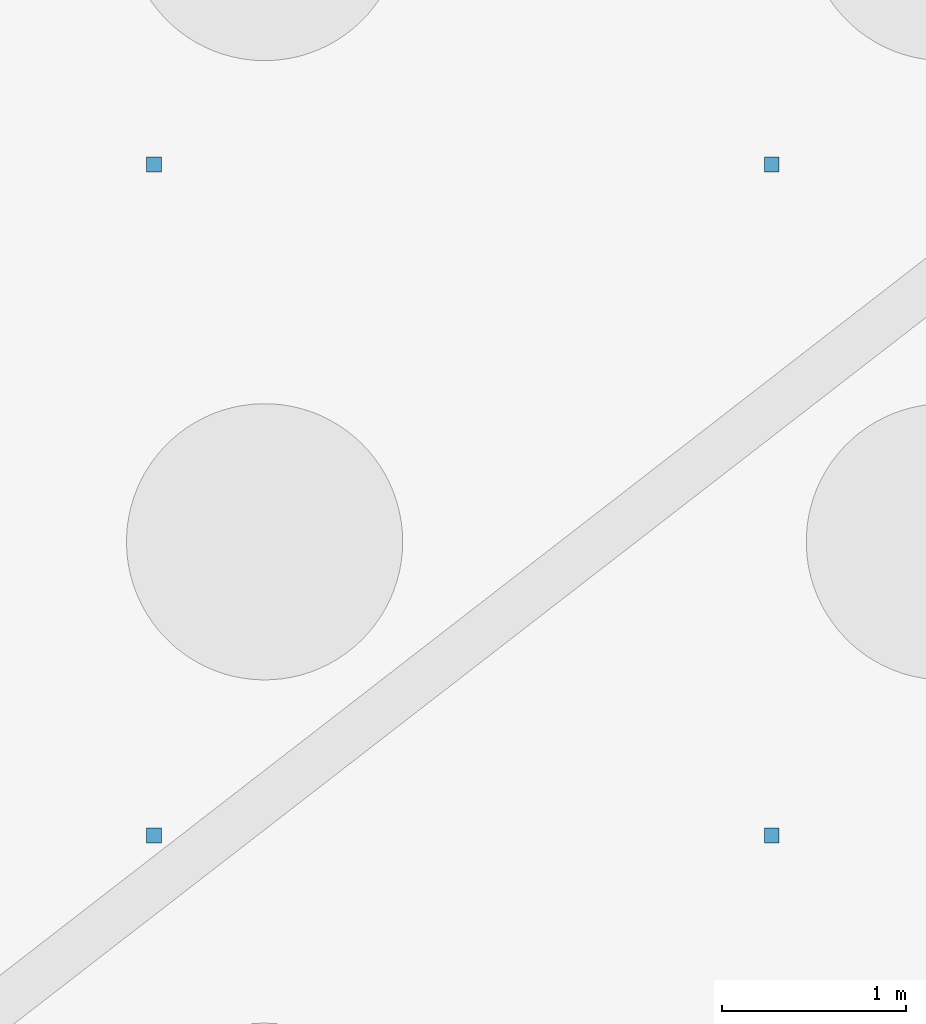
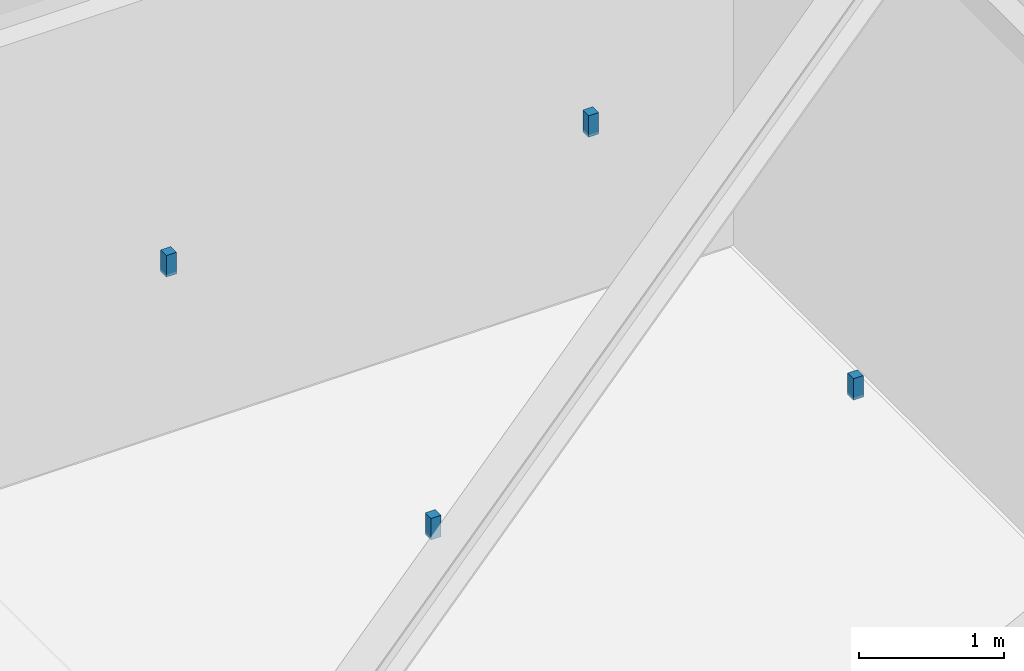
# One storey, part 14 of 19: 4 discrete accessories.
"""IFC4 building model written with IfcOpenShell, lengths in metres."""

from ifc_helpers import new_model, si_unit, direction, frame, origin, origin_2d, place, context, subcontext, project, spatial, rectangle, extrude, material, type_object, element, save


model = new_model("IFC4")

# Units and contexts
model_context = context("Model", 3, precision=1e-05, world=origin(), true_north=direction((0.0, 1.0)))
body_context = subcontext(model_context, "Body", "Model", "MODEL_VIEW")
ifc_project = project(units=[si_unit("LENGTHUNIT", "METRE"), si_unit("AREAUNIT", "SQUARE_METRE"), si_unit("VOLUMEUNIT", "CUBIC_METRE"), si_unit("PLANEANGLEUNIT", "RADIAN"), si_unit("MASSUNIT", "GRAM", prefix="KILO")], contexts=[model_context])

# Site, building, storey
site_placement = place(None, origin())
site = spatial("IfcSite", under=ifc_project, at=site_placement, CompositionType="ELEMENT")
building_placement = place(site_placement, origin())
building = spatial("IfcBuilding", under=site, at=building_placement, Name="Kolvaren Gate Tower and Convention Centre", CompositionType="ELEMENT")
storey_placement = place(building_placement, frame((0.0, 0.0, -13.5)))
storey = spatial("IfcBuildingStorey", under=building, at=storey_placement, Name="B3", CompositionType="ELEMENT", Elevation=-13.5)

# Discrete accessories
ifc_material = material(Name="Brushed Stainless Steel Grade 316L", Category="steel")
discrete_accessory_type = type_object("IfcDiscreteAccessoryType", Name="ARCH-ACC-HANGER-80", PredefinedType="BRACKET", material=ifc_material)
for number, where, z_axis, x_axis, name in (
    (1, (42.322021484375, 37.177978515625, 4.0), (0.0, 0.0, 1.0), (1.0, 0.0, 0.0), "Fire-Protection Cistern and Domestic Water Booster Plant Ceiling Suspension Hanger Clip 1"),
    (2, (45.677978515625, 37.177978515625, 4.0), (0.0, 0.0, 1.0), (1.0, 0.0, 0.0), "Fire-Protection Cistern and Domestic Water Booster Plant Ceiling Suspension Hanger Clip 2"),
    (3, (42.322021484375, 40.822021484375, 4.0), (0.0, 0.0, 1.0), (1.0, 0.0, 0.0), "Fire-Protection Cistern and Domestic Water Booster Plant Ceiling Suspension Hanger Clip 3"),
    (4, (45.677978515625, 40.822021484375, 4.0), (0.0, 0.0, 1.0), (1.0, 0.0, 0.0), "Fire-Protection Cistern and Domestic Water Booster Plant Ceiling Suspension Hanger Clip 4"),
):
    element("IfcDiscreteAccessory", number, at=place(storey_placement, frame(where, z_axis=z_axis, x_axis=x_axis)), inside=storey, type_object=discrete_accessory_type, Name=name, PredefinedType="BRACKET", context=body_context, shape_type="SweptSolid", body=[
        extrude(rectangle(XDim=0.080078125, YDim=0.080078125, at=origin_2d()), origin(), (0.0, 0.0, 1.0), 0.179931640625),
    ])

save(model, "model.ifc")
